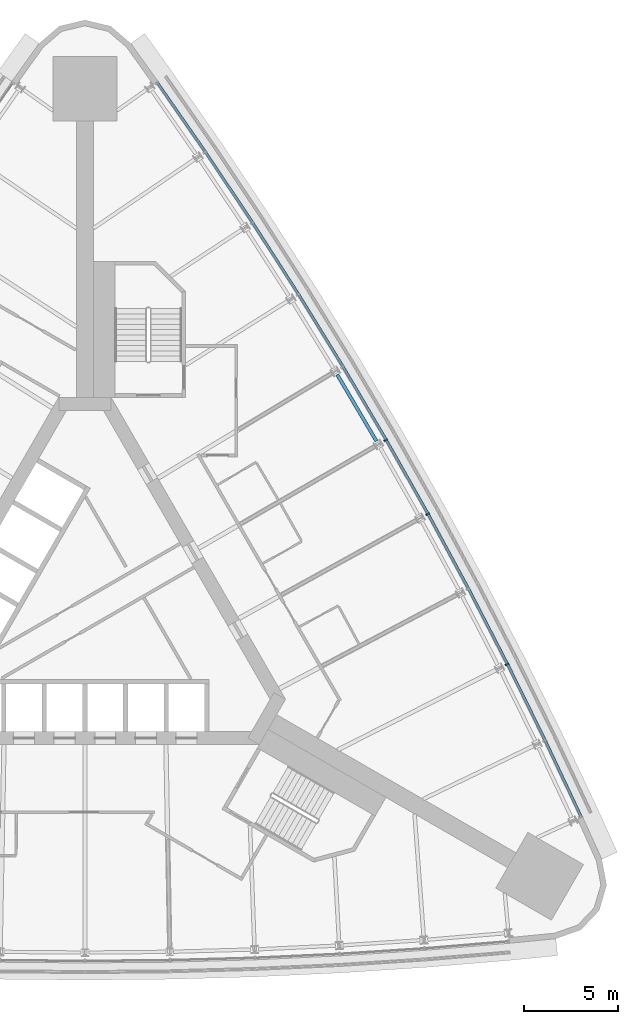
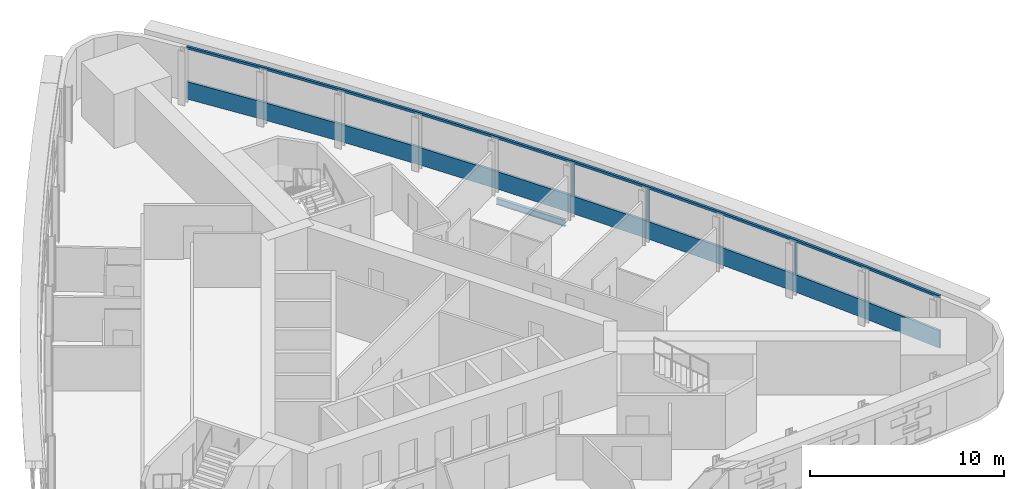
# One storey, part 7 of 15: 5 members, 1 beam, 1 element without a shape of its own.
"""IFC4 building model written with IfcOpenShell, lengths in metres."""

from ifc_helpers import new_model, si_unit, direction, frame, origin, origin_2d, place, context, subcontext, project, spatial, polyline, rectangle, i_section, outline, extrude, material, material_profile, profile_set, type_object, element, aggregate, save


model = new_model("IFC4")

# Units and contexts
model_context = context("Model", 3, precision=1e-05, world=origin(), true_north=direction((0.0, 1.0)))
body_context = subcontext(model_context, "Body", "Model", "MODEL_VIEW")
ifc_project = project(units=[si_unit("LENGTHUNIT", "METRE"), si_unit("AREAUNIT", "SQUARE_METRE"), si_unit("VOLUMEUNIT", "CUBIC_METRE"), si_unit("PLANEANGLEUNIT", "RADIAN"), si_unit("MASSUNIT", "GRAM", prefix="KILO")], contexts=[model_context])

# Site, building, storey
site_placement = place(None, origin())
site = spatial("IfcSite", under=ifc_project, at=site_placement, CompositionType="ELEMENT")
building_placement = place(site_placement, origin())
building = spatial("IfcBuilding", under=site, at=building_placement, Name="Noor Cloister Tower", CompositionType="ELEMENT")
storey_placement = place(building_placement, frame((0.0, 0.0, 27.60009765625)))
storey = spatial("IfcBuildingStorey", under=building, at=storey_placement, Name="L06", CompositionType="ELEMENT", Elevation=27.60009765625)

# Curtain wall, members
ifc_material_1 = material(Name="Aluminium 6063-T6 anodised", Category="aluminium")
curtain_wall_type = type_object("IfcCurtainWallType", Name="Ribbon curtain wall, lower tower CW1", PredefinedType="NOTDEFINED", material=ifc_material_1)
curtain_wall_placement = place(storey_placement, origin())
curtain_wall = element("IfcCurtainWall", 1, at=curtain_wall_placement, inside=storey, type_object=curtain_wall_type, Name="CW1 L06 NE run 3", PredefinedType="NOTDEFINED")
ifc_material_2 = material(Name="Aluminium 6063-T6 anodised", Category="aluminium")
member_type_1 = type_object("IfcMemberType", Name="Head transom CW1 150", PredefinedType="USERDEFINED", material=ifc_material_2)
member_1_placement = place(storey_placement, frame((0.0, 0.0, 3.14990234375)))
member_1 = element("IfcMember", 2, at=member_1_placement, type_object=member_type_1, Name="CW1 head transom", ObjectType="TRANSOM", PredefinedType="USERDEFINED", context=body_context, shape_type="SweptSolid", body=[
    extrude(outline(polyline([(26.337646484375, -10.737548828125), (24.42041015625, -6.66650390625), (22.42822265625, -2.631591796875), (20.361328125, 1.36572265625), (18.220703125, 5.32373046875), (16.0068359375, 9.24169921875), (13.720947265625, 13.11767578125), (11.36328125, 16.950439453125), (8.93505859375, 20.739013671875), (6.43701171875, 24.48193359375), (3.869873046875, 28.177734375), (3.7548828125, 28.097900390625), (6.3212890625, 24.403076171875), (8.81787109375, 20.662353515625), (11.244873046875, 16.8759765625), (13.600830078125, 13.04541015625), (15.8857421875, 9.171630859375), (18.09814453125, 5.256103515625), (20.237548828125, 1.30029296875), (22.30322265625, -2.694580078125), (24.29443359375, -6.727294921875), (26.2109375, -10.797119140625), (26.337646484375, -10.737548828125)])), origin(), (0.0, 0.0, 1.0), 0.14990234375),
])
ifc_material_3 = material(Name="Aluminium 6063-T6 anodised", Category="aluminium")
ifc_material_profile_1 = material_profile(ifc_material_3, rectangle(XDim=0.199951171875, YDim=0.080078125, at=origin_2d()), Name="200 x 80 mullion")
ifc_profile_set_1 = profile_set([ifc_material_profile_1], Name="Aluminium 6063-T6 anodised")
member_type_2 = type_object("IfcMemberType", Name="Mullion CW1 80 x 200", PredefinedType="MULLION", material=ifc_profile_set_1)
member_2_placement = place(storey_placement, frame((22.3388671875, -2.6767578125, 1.099853515625), z_axis=(0.0, 0.0, 1.0), x_axis=(-0.892500656737, -0.451046092683, 0.0)))
member_2 = element("IfcMember", 3, at=member_2_placement, type_object=member_type_2, Name="CW1 mullion 3", PredefinedType="MULLION", context=body_context, shape_type="SweptSolid", body=[
    extrude(rectangle(XDim=0.199951171875, YDim=0.080078125, at=origin_2d()), origin(), (0.0, 0.0, 1.0), 2.050048828125),
])
member_3_placement = place(storey_placement, frame((18.133056640625, 5.275390625, 1.099853515625), z_axis=(0.0, 0.0, 1.0), x_axis=(-0.875152761016, -0.483846716312, 0.0)))
member_3 = element("IfcMember", 4, at=member_3_placement, type_object=member_type_2, Name="CW1 mullion 5", PredefinedType="MULLION", context=body_context, shape_type="SweptSolid", body=[
    extrude(rectangle(XDim=0.199951171875, YDim=0.080078125, at=origin_2d()), origin(), (0.0, 0.0, 1.0), 2.050048828125),
])
member_4_placement = place(storey_placement, frame((15.920166015625, 9.191650390625, 1.099853515625), z_axis=(0.0, 0.0, 1.0), x_axis=(-0.866025403784, -0.5, 0.0)))
member_4 = element("IfcMember", 5, at=member_4_placement, type_object=member_type_2, Name="CW1 mullion 6", PredefinedType="MULLION", context=body_context, shape_type="SweptSolid", body=[
    extrude(rectangle(XDim=0.199951171875, YDim=0.080078125, at=origin_2d()), origin(), (0.0, 0.0, 1.0), 2.050048828125),
])
ifc_material_4 = material(Name="Aluminium 6063-T6 anodised", Category="aluminium")
member_type_3 = type_object("IfcMemberType", Name="Sill transom CW1 1100", PredefinedType="USERDEFINED", material=ifc_material_4)
member_5_placement = place(storey_placement, origin())
member_5 = element("IfcMember", 6, at=member_5_placement, type_object=member_type_3, Name="CW1 sill transom", ObjectType="TRANSOM", PredefinedType="USERDEFINED", context=body_context, shape_type="SweptSolid", body=[
    extrude(outline(polyline([(26.337646484375, -10.737548828125), (24.42041015625, -6.66650390625), (22.42822265625, -2.631591796875), (20.361328125, 1.36572265625), (18.220703125, 5.32373046875), (16.0068359375, 9.24169921875), (13.720947265625, 13.11767578125), (11.36328125, 16.950439453125), (8.93505859375, 20.739013671875), (6.43701171875, 24.48193359375), (3.869873046875, 28.177734375), (3.7548828125, 28.097900390625), (6.3212890625, 24.403076171875), (8.81787109375, 20.662353515625), (11.244873046875, 16.8759765625), (13.600830078125, 13.04541015625), (15.8857421875, 9.171630859375), (18.09814453125, 5.256103515625), (20.237548828125, 1.30029296875), (22.30322265625, -2.694580078125), (24.29443359375, -6.727294921875), (26.2109375, -10.797119140625), (26.337646484375, -10.737548828125)])), origin(), (0.0, 0.0, 1.0), 1.099853515625),
])
aggregate(curtain_wall, [member_2, member_3, member_4, member_5, member_1])

# Beam
ifc_material_5 = material(Name="Steel ASTM A992 Gr 50", Category="steel")
ifc_material_profile_2 = material_profile(ifc_material_5, i_section(OverallWidth=0.177978515625, OverallDepth=0.406005859375, WebThickness=0.0078125, FlangeThickness=0.0126953125, FilletRadius=0.01025390625, at=origin_2d()), Name="W410x60")
ifc_profile_set_2 = profile_set([ifc_material_profile_2], Name="Steel ASTM A992 Gr 50")
beam_type = type_object("IfcBeamType", Name="Spandrel beam W410x60", PredefinedType="SPANDREL", material=ifc_profile_set_2)
beam_placement = place(storey_placement, frame((15.427978515625, 9.140625, -0.403076171875), z_axis=(-0.508022532874, 0.861343779273, 0.0), x_axis=(-0.861343779273, -0.508022532874, 0.0)))
element("IfcBeam", 7, at=beam_placement, inside=storey, type_object=beam_type, Name="Spandrel beam NE 06 L06", PredefinedType="SPANDREL", context=body_context, shape_type="SweptSolid", body=[
    extrude(i_section(OverallWidth=0.177978515625, OverallDepth=0.406005859375, WebThickness=0.0078125, FlangeThickness=0.0126953125, FilletRadius=0.01025390625, at=origin_2d()), origin(), (0.0, 0.0, 1.0), 4.085693359375),
])

save(model, "model.ifc")
